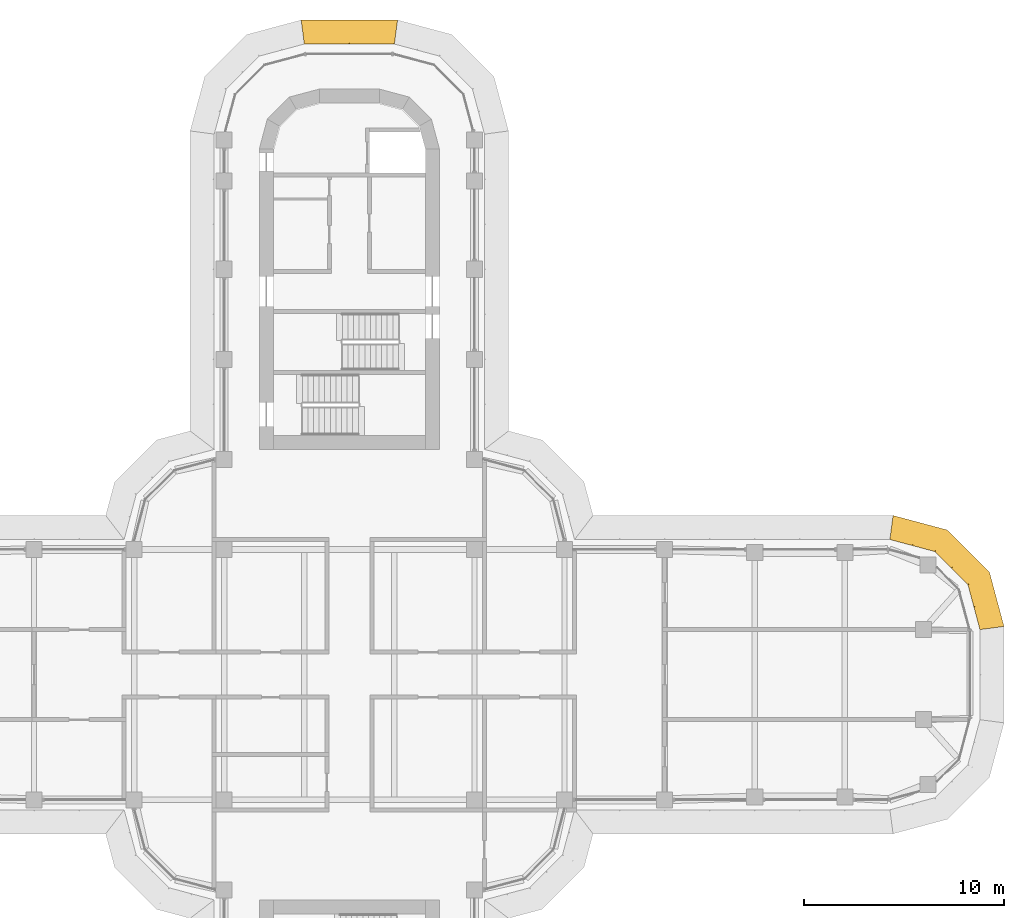
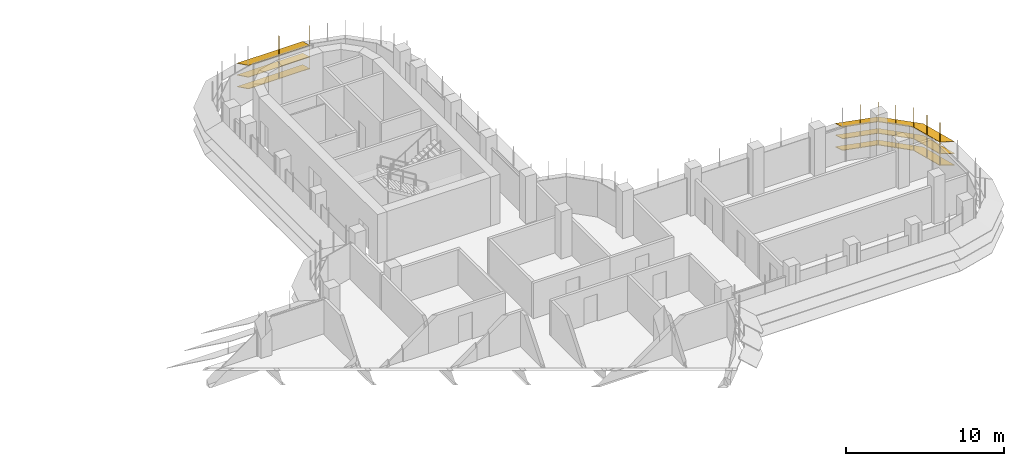
# One storey, part 19 of 19: 2 shading devices.
"""IFC4 building model written with IfcOpenShell, lengths in metres."""

from ifc_helpers import new_model, si_unit, direction, frame, origin, place, context, subcontext, project, spatial, polyline, outline, extrude, faceted_brep, source, transform, mapped, material, type_object, element, save


model = new_model("IFC4")

# Units and contexts
model_context = context("Model", 3, precision=1e-05, world=origin(), true_north=direction((0.0, 1.0)))
body_context = subcontext(model_context, "Body", "Model", "MODEL_VIEW")
ifc_project = project(units=[si_unit("LENGTHUNIT", "METRE"), si_unit("AREAUNIT", "SQUARE_METRE"), si_unit("VOLUMEUNIT", "CUBIC_METRE"), si_unit("PLANEANGLEUNIT", "RADIAN"), si_unit("MASSUNIT", "GRAM", prefix="KILO")], contexts=[model_context])

# Site, building, storey
site_placement = place(None, origin())
site = spatial("IfcSite", under=ifc_project, at=site_placement, CompositionType="ELEMENT")
building_placement = place(site_placement, origin())
building = spatial("IfcBuilding", under=site, at=building_placement, Name="Zarbagh Exchange Tower", CompositionType="ELEMENT")
storey_placement = place(building_placement, frame((0.0, 0.0, 175.199951171875)))
storey = spatial("IfcBuildingStorey", under=building, at=storey_placement, Name="L42", CompositionType="ELEMENT", Elevation=175.199951171875)

# Shading devices
ifc_material = material(Name="Anodised aluminium blades and brackets", Category="aluminium")
shading_device_type = type_object("IfcShadingDeviceType", Name="SUNSHADE louvre band, 22.5 degree blades", PredefinedType="JALOUSIE", material=ifc_material)
shared_shape_1 = source(origin(), body_context, "Body", "Brep", [
    faceted_brep([(0.0, 0.0, 0.0), (0.0, 0.0, -0.043212890625), (-0.157958984375, -1.199951171875, -0.540283203125), (-0.157958984375, -1.199951171875, -0.4970703125), (2.65087890625, -1.199951171875, -0.4970703125), (2.65087890625, -1.199951171875, -0.540283203125), (2.329345703125, 0.0, -0.043212890625), (2.329345703125, 0.0, 0.0)], [[[0, 1, 2, 3]], [[4, 5, 6, 7]], [[0, 7, 6, 1]], [[1, 6, 5, 2]], [[2, 5, 4, 3]], [[3, 4, 7, 0]]]),
])
shared_shape_2 = source(origin(), body_context, "Body", "Brep", [
    faceted_brep([(0.0, 0.0, 0.0), (0.0, 0.0, -0.043212890625), (-0.321533203125, -1.199951171875, -0.540283203125), (-0.321533203125, -1.199951171875, -0.4970703125), (2.65087890625, -1.199951171875, -0.4970703125), (2.65087890625, -1.199951171875, -0.540283203125), (2.329345703125, 0.0, -0.043212890625), (2.329345703125, 0.0, 0.0)], [[[0, 1, 2, 3]], [[4, 5, 6, 7]], [[0, 7, 6, 1]], [[1, 6, 5, 2]], [[2, 5, 4, 3]], [[3, 4, 7, 0]]]),
])
shared_shape_3 = source(origin(), body_context, "Body", "Brep", [
    faceted_brep([(0.0, 0.0, 0.0), (0.0, 0.0, -0.043212890625), (-0.321533203125, -1.199951171875, -0.540283203125), (-0.321533203125, -1.199951171875, -0.4970703125), (2.4873046875, -1.199951171875, -0.4970703125), (2.4873046875, -1.199951171875, -0.540283203125), (2.329345703125, 0.0, -0.043212890625), (2.329345703125, 0.0, 0.0)], [[[0, 1, 2, 3]], [[4, 5, 6, 7]], [[0, 7, 6, 1]], [[1, 6, 5, 2]], [[2, 5, 4, 3]], [[3, 4, 7, 0]]]),
])
shared_shape_4 = source(origin(), body_context, "Body", "SweptSolid", [
    extrude(outline(polyline([(0.0, -0.012451171875), (0.06005859375, -0.012451171875), (0.06005859375, 0.012451171875), (0.0, 0.012451171875), (0.0, -0.012451171875)])), origin(), (0.0, 0.0, 1.0), 3.353271484375),
])
placement = place(storey_placement, origin())
element("IfcShadingDevice", 1, at=placement, inside=storey, type_object=shading_device_type, Name="SS33 sunshade band", PredefinedType="JALOUSIE", context=body_context, shape_type="MappedRepresentation", body=[
    mapped(shared_shape_1, transform((31.5, 2.25, 2.300048828125), x_axis=(-0.258824779902, 0.965924289636, 0.0), y_axis=(-0.965924289636, -0.258824779902, 0.0), z_axis=(0.0, 0.0, 1.0))),
    mapped(shared_shape_1, transform((31.5, 2.25, 1.400146484375), x_axis=(-0.258824779902, 0.965924289636, 0.0), y_axis=(-0.965924289636, -0.258824779902, 0.0), z_axis=(0.0, 0.0, 1.0))),
    mapped(shared_shape_1, transform((31.5, 2.25, 0.5), x_axis=(-0.258824779902, 0.965924289636, 0.0), y_axis=(-0.965924289636, -0.258824779902, 0.0), z_axis=(0.0, 0.0, 1.0))),
    mapped(shared_shape_2, transform((30.897216796875, 4.5, 2.300048828125), x_axis=(-0.707106781187, 0.707106781187, 0.0), y_axis=(-0.707106781187, -0.707106781187, 0.0), z_axis=(0.0, 0.0, 1.0))),
    mapped(shared_shape_2, transform((30.897216796875, 4.5, 1.400146484375), x_axis=(-0.707106781187, 0.707106781187, 0.0), y_axis=(-0.707106781187, -0.707106781187, 0.0), z_axis=(0.0, 0.0, 1.0))),
    mapped(shared_shape_2, transform((30.897216796875, 4.5, 0.5), x_axis=(-0.707106781187, 0.707106781187, 0.0), y_axis=(-0.707106781187, -0.707106781187, 0.0), z_axis=(0.0, 0.0, 1.0))),
    mapped(shared_shape_3, transform((29.25, 6.147216796875, 2.300048828125), x_axis=(-0.965924289636, 0.258824779902, 0.0), y_axis=(-0.258824779902, -0.965924289636, 0.0), z_axis=(0.0, 0.0, 1.0))),
    mapped(shared_shape_3, transform((29.25, 6.147216796875, 1.400146484375), x_axis=(-0.965924289636, 0.258824779902, 0.0), y_axis=(-0.258824779902, -0.965924289636, 0.0), z_axis=(0.0, 0.0, 1.0))),
    mapped(shared_shape_3, transform((29.25, 6.147216796875, 0.5), x_axis=(-0.965924289636, 0.258824779902, 0.0), y_axis=(-0.258824779902, -0.965924289636, 0.0), z_axis=(0.0, 0.0, 1.0))),
    mapped(shared_shape_4, transform((31.5, 2.25, 0.4267578125), x_axis=(0.991444457092, 0.130529263012, 0.0), y_axis=(-0.130529263012, 0.991444457092, 0.0), z_axis=(0.0, 0.0, 1.0))),
    mapped(shared_shape_4, transform((31.198486328125, 3.375, 0.4267578125), x_axis=(0.96592421511, 0.258825058029, 0.0), y_axis=(-0.258825058029, 0.96592421511, 0.0), z_axis=(0.0, 0.0, 1.0))),
    mapped(shared_shape_4, transform((30.897216796875, 4.5, 0.4267578125), x_axis=(0.866023812018, 0.50000275701, 0.0), y_axis=(-0.50000275701, 0.866023812018, 0.0), z_axis=(0.0, 0.0, 1.0))),
    mapped(shared_shape_4, transform((30.073486328125, 5.323486328125, 0.4267578125), x_axis=(0.707106781187, 0.707106781187, 0.0), y_axis=(-0.707106781187, 0.707106781187, 0.0), z_axis=(0.0, 0.0, 1.0))),
    mapped(shared_shape_4, transform((29.25, 6.147216796875, 0.4267578125), x_axis=(0.50000275701, 0.866023812018, 0.0), y_axis=(-0.866023812018, 0.50000275701, 0.0), z_axis=(0.0, 0.0, 1.0))),
    mapped(shared_shape_4, transform((28.125, 6.448486328125, 0.4267578125), x_axis=(0.258825058029, 0.96592421511, 0.0), y_axis=(-0.96592421511, 0.258825058029, 0.0), z_axis=(0.0, 0.0, 1.0))),
])
shared_shape_5 = source(origin(), body_context, "Body", "Brep", [
    faceted_brep([(0.0, 0.0, 0.0), (0.0, 0.0, -0.043212890625), (-0.157958984375, -1.199951171875, -0.540283203125), (-0.157958984375, -1.199951171875, -0.4970703125), (4.657958984375, -1.199951171875, -0.4970703125), (4.657958984375, -1.199951171875, -0.540283203125), (4.5, 0.0, -0.043212890625), (4.5, 0.0, 0.0)], [[[0, 1, 2, 3]], [[4, 5, 6, 7]], [[0, 7, 6, 1]], [[1, 6, 5, 2]], [[2, 5, 4, 3]], [[3, 4, 7, 0]]]),
])
element("IfcShadingDevice", 2, at=placement, inside=storey, type_object=shading_device_type, Name="SS27 sunshade band", PredefinedType="JALOUSIE", context=body_context, shape_type="MappedRepresentation", body=[
    mapped(shared_shape_5, transform((2.25, 31.5, 2.300048828125), x_axis=(-1.0, 0.0, 0.0), y_axis=(0.0, -1.0, 0.0), z_axis=(0.0, 0.0, 1.0))),
    mapped(shared_shape_5, transform((2.25, 31.5, 1.400146484375), x_axis=(-1.0, 0.0, 0.0), y_axis=(0.0, -1.0, 0.0), z_axis=(0.0, 0.0, 1.0))),
    mapped(shared_shape_5, transform((2.25, 31.5, 0.5), x_axis=(-1.0, 0.0, 0.0), y_axis=(0.0, -1.0, 0.0), z_axis=(0.0, 0.0, 1.0))),
    mapped(shared_shape_4, transform((2.25, 31.5, 0.4267578125), x_axis=(0.130529263012, 0.991444457092, 0.0), y_axis=(-0.991444457092, 0.130529263012, 0.0), z_axis=(0.0, 0.0, 1.0))),
    mapped(shared_shape_4, transform((0.0, 31.5, 0.4267578125), x_axis=(0.0, 1.0, 0.0), y_axis=(-1.0, 0.0, 0.0), z_axis=(0.0, 0.0, 1.0))),
])

save(model, "model.ifc")
